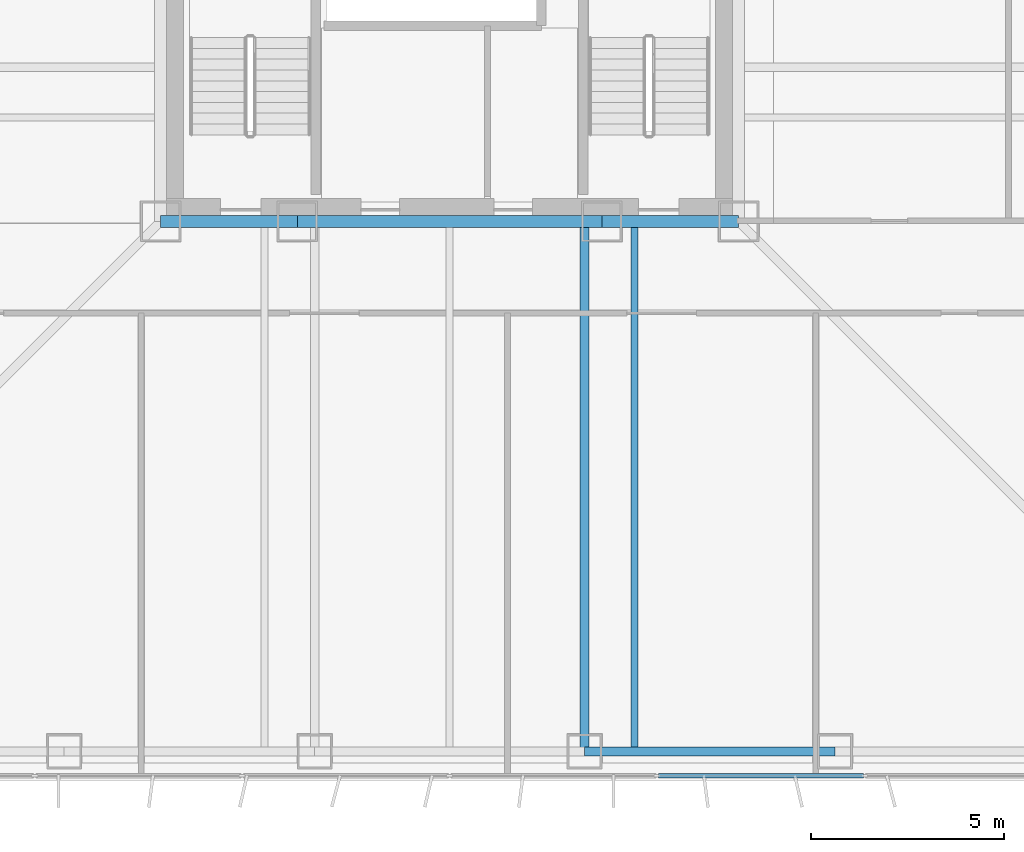
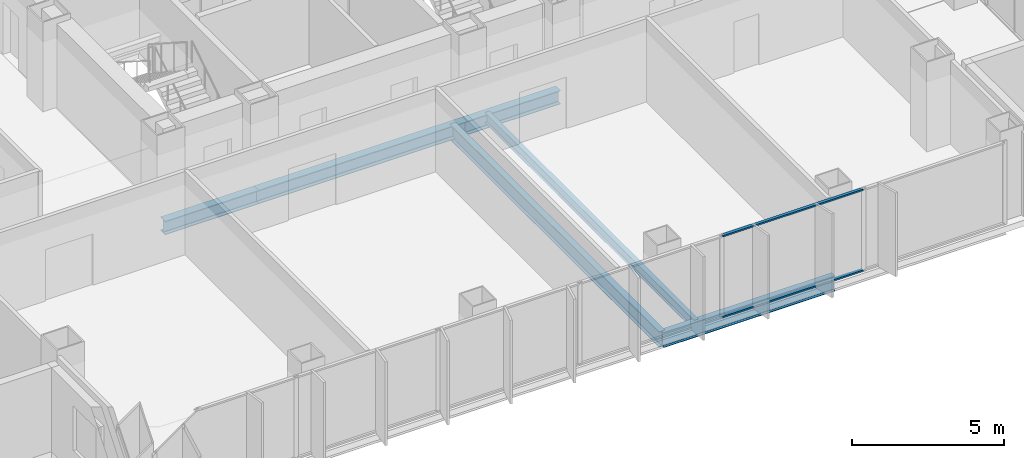
# One storey, part 3 of 14: 6 beams, 2 members, 1 element without a shape of its own.
"""IFC4 building model written with IfcOpenShell, lengths in metres."""

from ifc_helpers import new_model, si_unit, direction, frame, origin, origin_2d, place, context, subcontext, project, spatial, rectangle, i_section, extrude, material, layer, layer_set, material_profile, profile_set, type_object, element, aggregate, save


model = new_model("IFC4")

# Units and contexts
model_context = context("Model", 3, precision=1e-05, world=origin(), true_north=direction((0.0, 1.0)))
body_context = subcontext(model_context, "Body", "Model", "MODEL_VIEW")
ifc_project = project(units=[si_unit("LENGTHUNIT", "METRE"), si_unit("AREAUNIT", "SQUARE_METRE"), si_unit("VOLUMEUNIT", "CUBIC_METRE"), si_unit("PLANEANGLEUNIT", "RADIAN"), si_unit("MASSUNIT", "GRAM", prefix="KILO")], contexts=[model_context])

# Site, building, storey
site_placement = place(None, origin())
site = spatial("IfcSite", under=ifc_project, at=site_placement, CompositionType="ELEMENT")
building_placement = place(site_placement, origin())
building = spatial("IfcBuilding", under=site, at=building_placement, Name="Trevonay Congress Spire", CompositionType="ELEMENT")
storey_placement = place(building_placement, frame((0.0, 0.0, 137.199951171875)))
storey = spatial("IfcBuildingStorey", under=building, at=storey_placement, Name="L35", CompositionType="ELEMENT", Elevation=137.199951171875)

# Beams
ifc_material_1 = material(Name="Steel ASTM A572 Grade 50", Category="steel")
ifc_material_profile_1 = material_profile(ifc_material_1, i_section(OverallWidth=0.31201171875, OverallDepth=0.54296875, WebThickness=0.0126953125, FlangeThickness=0.020263671875, FilletRadius=0.014892578125, at=origin_2d()), Name="W530x150")
ifc_profile_set_1 = profile_set([ifc_material_profile_1], Name="Steel ASTM A572 Grade 50")
beam_type_1 = type_object("IfcBeamType", Name="BM-GIRD-W530X150", PredefinedType="BEAM", material=ifc_profile_set_1)
beam_1_placement = place(storey_placement, frame((-7.5, -7.5, -0.511474609375), z_axis=(1.0, 0.0, 0.0), x_axis=(0.0, 1.0, 0.0)))
element("IfcBeam", 1, at=beam_1_placement, inside=storey, type_object=beam_type_1, Name="L35 structural beam BM-L35-CR-S1", PredefinedType="BEAM", context=body_context, shape_type="SweptSolid", body=[
    extrude(i_section(OverallWidth=0.31201171875, OverallDepth=0.54296875, WebThickness=0.0126953125, FlangeThickness=0.020263671875, FilletRadius=0.014892578125, at=origin_2d()), origin(), (0.0, 0.0, 1.0), 3.550048828125),
])
beam_2_placement = place(storey_placement, frame((-3.949951171875, -7.5, -0.511474609375), z_axis=(1.0, 0.0, 0.0), x_axis=(0.0, 1.0, 0.0)))
element("IfcBeam", 2, at=beam_2_placement, inside=storey, type_object=beam_type_1, Name="L35 structural beam BM-L35-CR-S2", PredefinedType="BEAM", context=body_context, shape_type="SweptSolid", body=[
    extrude(i_section(OverallWidth=0.31201171875, OverallDepth=0.54296875, WebThickness=0.0126953125, FlangeThickness=0.020263671875, FilletRadius=0.014892578125, at=origin_2d()), origin(), (0.0, 0.0, 1.0), 7.89990234375),
])
beam_3_placement = place(storey_placement, frame((3.949951171875, -7.5, -0.511474609375), z_axis=(1.0, 0.0, 0.0), x_axis=(0.0, 1.0, 0.0)))
element("IfcBeam", 3, at=beam_3_placement, inside=storey, type_object=beam_type_1, Name="L35 structural beam BM-L35-CR-S3", PredefinedType="BEAM", context=body_context, shape_type="SweptSolid", body=[
    extrude(i_section(OverallWidth=0.31201171875, OverallDepth=0.54296875, WebThickness=0.0126953125, FlangeThickness=0.020263671875, FilletRadius=0.014892578125, at=origin_2d()), origin(), (0.0, 0.0, 1.0), 3.550048828125),
])
ifc_material_profile_2 = material_profile(ifc_material_1, i_section(OverallWidth=0.22998046875, OverallDepth=0.616943359375, WebThickness=0.01318359375, FlangeThickness=0.022216796875, FilletRadius=0.01611328125, at=origin_2d()), Name="W610x140")
ifc_profile_set_2 = profile_set([ifc_material_profile_2], Name="Steel ASTM A572 Grade 50")
beam_type_2 = type_object("IfcBeamType", Name="BM-GIRD-W610X140", PredefinedType="BEAM", material=ifc_profile_set_2)
beam_4_placement = place(storey_placement, frame((3.5, -7.5, -0.54833984375), z_axis=(0.0, -1.0, 0.0), x_axis=(1.0, 0.0, 0.0)))
element("IfcBeam", 4, at=beam_4_placement, inside=storey, type_object=beam_type_2, Name="L35 structural beam BM-L35-GS-P", PredefinedType="BEAM", context=body_context, shape_type="SweptSolid", body=[
    extrude(i_section(OverallWidth=0.22998046875, OverallDepth=0.616943359375, WebThickness=0.01318359375, FlangeThickness=0.022216796875, FilletRadius=0.01611328125, at=origin_2d()), origin(), (0.0, 0.0, 1.0), 13.75),
])
ifc_material_profile_3 = material_profile(ifc_material_1, i_section(OverallWidth=0.22802734375, OverallDepth=0.60791015625, WebThickness=0.01123046875, FlangeThickness=0.017333984375, FilletRadius=0.01611328125, at=origin_2d()), Name="W610x113")
ifc_profile_set_3 = profile_set([ifc_material_profile_3], Name="Steel ASTM A572 Grade 50")
beam_type_3 = type_object("IfcBeamType", Name="BM-RING-W610X113", PredefinedType="BEAM", material=ifc_profile_set_3)
beam_5_placement = place(storey_placement, frame((3.5, -21.25, -0.5439453125), z_axis=(1.0, 0.0, 0.0), x_axis=(0.0, 1.0, 0.0)))
element("IfcBeam", 5, at=beam_5_placement, inside=storey, type_object=beam_type_3, Name="L35 structural beam BM-L35-PS4", PredefinedType="BEAM", context=body_context, shape_type="SweptSolid", body=[
    extrude(i_section(OverallWidth=0.22802734375, OverallDepth=0.60791015625, WebThickness=0.01123046875, FlangeThickness=0.017333984375, FilletRadius=0.01611328125, at=origin_2d()), origin(), (0.0, 0.0, 1.0), 6.5),
])

# Curtain wall, members
ifc_material_2 = material(Name="Pale Anodised Aluminium EN AW-6063-T6", Category="aluminium")
ifc_layer = layer(ifc_material_2, 0.175048828125, Name="Pale Anodised Aluminium EN AW-6063-T6")
ifc_layer_set = layer_set([ifc_layer], Name="Pale Anodised Aluminium EN AW-6063-T6")
curtain_wall_type = type_object("IfcCurtainWallType", Name="CW-SYS03-CONGRESS-PALE-METAL", PredefinedType="NOTDEFINED", material=ifc_layer_set)
curtain_wall_placement = place(storey_placement, origin())
curtain_wall = element("IfcCurtainWall", 6, at=curtain_wall_placement, inside=storey, type_object=curtain_wall_type, Name="L35 S unitised curtain wall", PredefinedType="NOTDEFINED")
ifc_material_profile_4 = material_profile(ifc_material_2, rectangle(XDim=0.1201171875, YDim=0.06005859375, at=origin_2d()), Name="CW-TRANSOM-120-ALUMINIUM")
ifc_profile_set_4 = profile_set([ifc_material_profile_4], Name="Pale Anodised Aluminium EN AW-6063-T6")
member_type = type_object("IfcMemberType", Name="CW-TRANSOM-120-ALUMINIUM", PredefinedType="USERDEFINED", material=ifc_profile_set_4)
member_1_placement = place(storey_placement, frame((5.413330078125, -21.8798828125, 0.06005859375), z_axis=(1.0, 0.0, 0.0), x_axis=(0.0, 1.0, 0.0)))
member_1 = element("IfcMember", 7, at=member_1_placement, type_object=member_type, Name="CW03 transom 5.1", ObjectType="TRANSOM", PredefinedType="USERDEFINED", context=body_context, shape_type="SweptSolid", body=[
    extrude(rectangle(XDim=0.1201171875, YDim=0.06005859375, at=origin_2d()), origin(), (0.0, 0.0, 1.0), 5.3232421875),
])
member_2_placement = place(storey_placement, frame((5.413330078125, -21.8798828125, 3.300048828125), z_axis=(1.0, 0.0, 0.0), x_axis=(0.0, 1.0, 0.0)))
member_2 = element("IfcMember", 8, at=member_2_placement, type_object=member_type, Name="CW03 transom 5.2", ObjectType="TRANSOM", PredefinedType="USERDEFINED", context=body_context, shape_type="SweptSolid", body=[
    extrude(rectangle(XDim=0.1201171875, YDim=0.06005859375, at=origin_2d()), origin(), (0.0, 0.0, 1.0), 5.3232421875),
])
aggregate(curtain_wall, [member_1, member_2])

# Beam
ifc_material_profile_5 = material_profile(ifc_material_1, i_section(OverallWidth=0.177978515625, OverallDepth=0.406982421875, WebThickness=0.0078125, FlangeThickness=0.0126953125, FilletRadius=0.012939453125, at=origin_2d()), Name="W410x60")
ifc_profile_set_5 = profile_set([ifc_material_profile_5], Name="Steel ASTM A572 Grade 50")
beam_type_4 = type_object("IfcBeamType", Name="JS-COMP-W410X60", PredefinedType="JOIST", material=ifc_profile_set_5)
beam_6_placement = place(storey_placement, frame((4.800048828125, -21.25, -0.443359375), z_axis=(0.0, 1.0, 0.0), x_axis=(-1.0, 0.0, 0.0)))
element("IfcBeam", 9, at=beam_6_placement, inside=storey, type_object=beam_type_4, Name="L35 structural beam JS-L35-NS-S3", PredefinedType="JOIST", context=body_context, shape_type="SweptSolid", body=[
    extrude(i_section(OverallWidth=0.177978515625, OverallDepth=0.406982421875, WebThickness=0.0078125, FlangeThickness=0.0126953125, FilletRadius=0.012939453125, at=origin_2d()), origin(), (0.0, 0.0, 1.0), 13.75),
])

save(model, "model.ifc")
